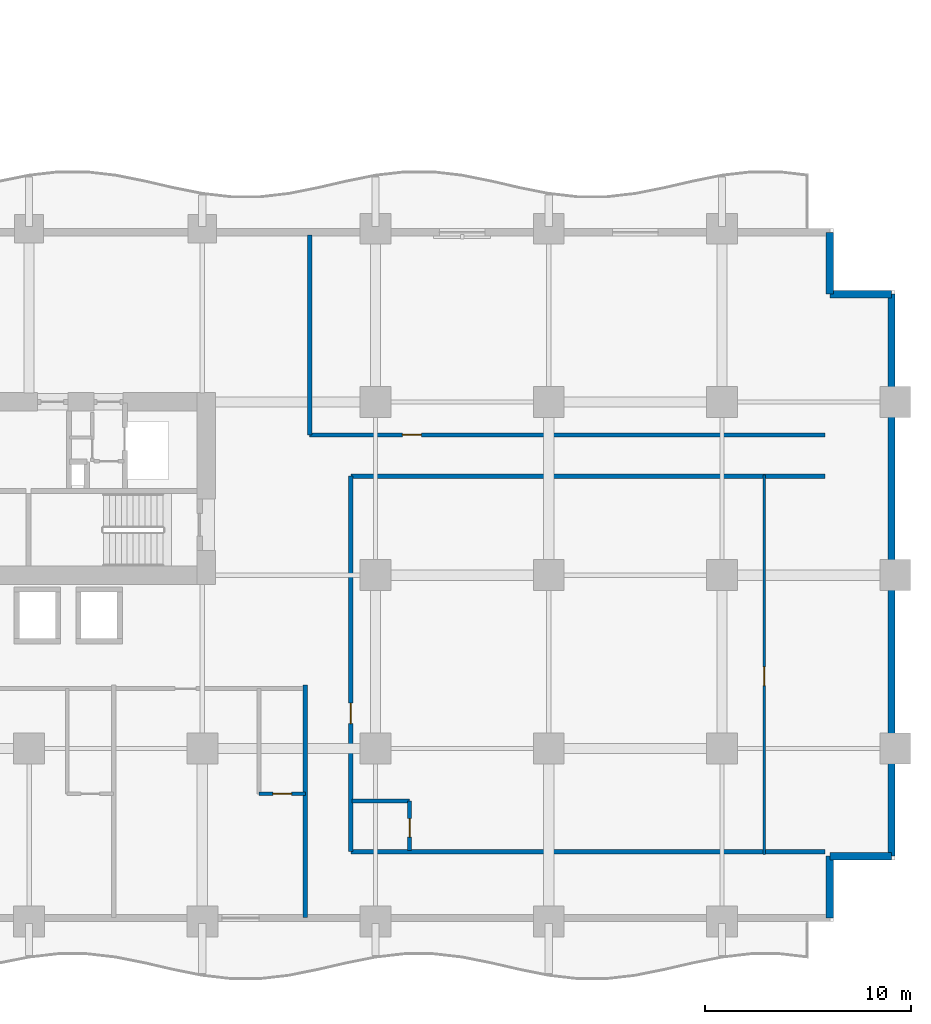
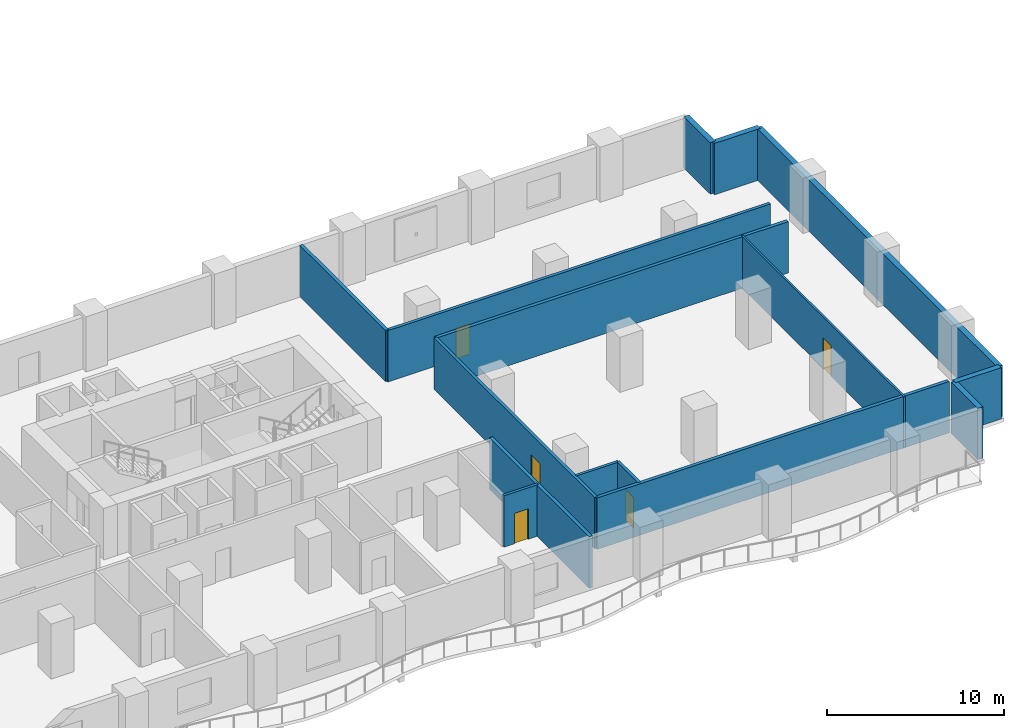
# One storey, part 12 of 20: 15 walls, 5 doors, 5 openings.
"""IFC4 building model written with IfcOpenShell, lengths in metres."""

from ifc_helpers import new_model, si_unit, direction, frame, frame_2d, origin, place, context, subcontext, project, spatial, rectangle, extrude, material, layer, layer_set, type_object, element, fill, save


model = new_model("IFC4")

# Units and contexts
model_context = context("Model", 3, precision=1e-05, world=origin(), true_north=direction((0.0, 1.0)))
body_context = subcontext(model_context, "Body", "Model", "MODEL_VIEW")
ifc_project = project(units=[si_unit("LENGTHUNIT", "METRE"), si_unit("AREAUNIT", "SQUARE_METRE"), si_unit("VOLUMEUNIT", "CUBIC_METRE"), si_unit("PLANEANGLEUNIT", "RADIAN"), si_unit("MASSUNIT", "GRAM", prefix="KILO")], contexts=[model_context])

# Site, building, storey
site_placement = place(None, origin())
site = spatial("IfcSite", under=ifc_project, at=site_placement, CompositionType="ELEMENT")
building_placement = place(site_placement, origin())
building = spatial("IfcBuilding", under=site, at=building_placement, Name="Koriwani Terraces Tower", CompositionType="ELEMENT")
storey_placement = place(building_placement, frame((0.0, 0.0, 73.800048828125)))
storey = spatial("IfcBuildingStorey", under=building, at=storey_placement, Name="L17", CompositionType="ELEMENT", Elevation=73.800048828125)

# Wall, opening, door
ifc_material_1 = material(Name="Autoclaved Cellular Concrete Blockwork", Category="masonry")
ifc_layer_1 = layer(ifc_material_1, 0.199951171875, Name="Autoclaved Cellular Concrete Blockwork")
ifc_layer_set_1 = layer_set([ifc_layer_1], Name="Autoclaved Cellular Concrete Blockwork")
wall_type_1 = type_object("IfcWallType", Name="WALL_CORRIDOR_200", PredefinedType="PARTITIONING", material=ifc_layer_set_1)
wall_1_placement = place(storey_placement, frame((66.0, 3.39990234375, 0.0), z_axis=(0.0, 0.0, 1.0), x_axis=(0.0, 1.0, 0.0)))
wall_1 = element("IfcWall", 1, at=wall_1_placement, inside=storey, type_object=wall_type_1, Name="L17 Interior Wall WGB-L17-ETIP-W", PredefinedType="PARTITIONING", context=body_context, shape_type="SweptSolid", body=[
    extrude(rectangle(XDim=18.2001953125, YDim=0.199951171875, at=frame_2d((9.10009765625, 0.0))), origin(), (0.0, 0.0, 1.0), 3.550048828125),
])
opening_1_placement = place(wall_1_placement, frame((6.199951171875, 0.0, 0.0)))
opening_1 = element("IfcOpeningElement", 2, at=opening_1_placement, cuts=wall_1, Name="Opening D-05", PredefinedType="OPENING", context=body_context, shape_type="SweptSolid", body=[
    extrude(rectangle(XDim=1.0, YDim=2.14990234375, at=frame_2d((0.5, 1.074951171875))), frame((0.0, 0.10986328125, 0.0), z_axis=(0.0, -1.0, 0.0), x_axis=(1.0, 0.0, 0.0)), (0.0, 0.0, 1.0), 0.219970703125),
])
ifc_material_2 = material(Name="Architectural Oak Fire Door", Category="wood")
door_type_1 = type_object("IfcDoorType", Name="DOOR_SUITE_ENTRY_1000X2150", OperationType="NOTDEFINED", PredefinedType="DOOR", material=ifc_material_2)
door_1_placement = place(opening_1_placement, origin())
door_1 = element("IfcDoor", 3, at=door_1_placement, inside=storey, type_object=door_type_1, Name="Ambassador Wing Suite 17E Entrance Door", OperationType="SINGLE_SWING_LEFT", OverallHeight=2.14990234375, OverallWidth=1.0, PredefinedType="DOOR", context=body_context, shape_type="SweptSolid", body=[
    extrude(rectangle(XDim=1.0, YDim=2.14990234375, at=frame_2d((0.5, 1.074951171875))), frame((0.0, 0.02490234375, 0.0), z_axis=(0.0, -1.0, 0.0), x_axis=(1.0, 0.0, 0.0)), (0.0, 0.0, 1.0), 0.050048828125),
])
fill(opening_1, door_1)

wall_2_placement = place(storey_placement, frame((64.0, 23.60009765625, 0.0), z_axis=(0.0, 0.0, 1.0), x_axis=(1.0, 0.0, 0.0)))
wall_2 = element("IfcWall", 4, at=wall_2_placement, inside=storey, type_object=wall_type_1, Name="L17 Interior Wall WETIP2-S-L17", PredefinedType="PARTITIONING", context=body_context, shape_type="SweptSolid", body=[
    extrude(rectangle(XDim=25.0, YDim=0.199951171875, at=frame_2d((12.5, 0.0))), origin(), (0.0, 0.0, 1.0), 3.550048828125),
])
opening_2_placement = place(wall_2_placement, frame((4.5, 0.0, 0.0)))
opening_2 = element("IfcOpeningElement", 5, at=opening_2_placement, cuts=wall_2, Name="Opening D-06", PredefinedType="OPENING", context=body_context, shape_type="SweptSolid", body=[
    extrude(rectangle(XDim=0.919921875, YDim=2.10009765625, at=frame_2d((0.4599609375, 1.050048828125))), frame((0.0, 0.10986328125, 0.0), z_axis=(0.0, -1.0, 0.0), x_axis=(1.0, 0.0, 0.0)), (0.0, 0.0, 1.0), 0.219970703125),
])
door_type_2 = type_object("IfcDoorType", Name="DOOR_ROOM_INT_920X2100", OperationType="NOTDEFINED", PredefinedType="DOOR", material=ifc_material_2)
door_2_placement = place(opening_2_placement, origin())
door_2 = element("IfcDoor", 6, at=door_2_placement, inside=storey, type_object=door_type_2, Name="L17 East Panorama Salon Door", OperationType="SINGLE_SWING_RIGHT", OverallHeight=2.10009765625, OverallWidth=0.919921875, PredefinedType="DOOR", context=body_context, shape_type="SweptSolid", body=[
    extrude(rectangle(XDim=0.919921875, YDim=2.10009765625, at=frame_2d((0.4599609375, 1.050048828125))), frame((0.0, 0.02490234375, 0.0), z_axis=(0.0, -1.0, 0.0), x_axis=(1.0, 0.0, 0.0)), (0.0, 0.0, 1.0), 0.050048828125),
])
fill(opening_2, door_2)

# Walls
ifc_layer_2 = layer(ifc_material_1, 0.219970703125, Name="Autoclaved Cellular Concrete Blockwork")
ifc_layer_set_2 = layer_set([ifc_layer_2], Name="Autoclaved Cellular Concrete Blockwork")
wall_type_2 = type_object("IfcWallType", Name="WALL_DEMISING_220", PredefinedType="PARTITIONING", material=ifc_layer_set_2)
wall_3_placement = place(storey_placement, frame((63.800048828125, 0.199951171875, 0.0), z_axis=(0.0, 0.0, 1.0), x_axis=(0.0, 1.0, 0.0)))
element("IfcWall", 7, at=wall_3_placement, inside=storey, type_object=wall_type_2, Name="L17 Interior Wall WDEME-L17-SW", PredefinedType="PARTITIONING", context=body_context, shape_type="SweptSolid", body=[
    extrude(rectangle(XDim=11.280029296875, YDim=0.219970703125, at=frame_2d((5.64013671875, 0.0))), origin(), (0.0, 0.0, 1.0), 3.550048828125),
])
for number, where, z_axis, x_axis, name in (
    (8, (66.0, 3.39990234375, 0.0), (0.0, 0.0, 1.0), (1.0, 0.0, 0.0), "L17 Interior Wall WGB-L17-ETIP-S"),
    (9, (66.0, 21.60009765625, 0.0), (0.0, 0.0, 1.0), (1.0, 0.0, 0.0), "L17 Interior Wall WGB-L17-ETIP-N"),
):
    element("IfcWall", number, at=place(storey_placement, frame(where, z_axis=z_axis, x_axis=x_axis)), inside=storey, type_object=wall_type_2, Name=name, PredefinedType="PARTITIONING", context=body_context, shape_type="SweptSolid", body=[
        extrude(rectangle(XDim=23.0, YDim=0.219970703125, at=frame_2d((11.5, 0.0))), origin(), (0.0, 0.0, 1.0), 3.550048828125),
    ])
wall_4_placement = place(storey_placement, frame((64.0, 23.60009765625, 0.0), z_axis=(0.0, 0.0, 1.0), x_axis=(0.0, 1.0, 0.0)))
element("IfcWall", 10, at=wall_4_placement, inside=storey, type_object=wall_type_2, Name="L17 Interior Wall WETIP2-W-L17", PredefinedType="PARTITIONING", context=body_context, shape_type="SweptSolid", body=[
    extrude(rectangle(XDim=9.699951171875, YDim=0.219970703125, at=frame_2d((4.85009765625, 0.0))), origin(), (0.0, 0.0, 1.0), 3.550048828125),
])
ifc_material_3 = material(Name="Concrete C50/60", Category="concrete")
ifc_layer_3 = layer(ifc_material_3, 0.35009765625, Name="Concrete C50/60")
ifc_layer_set_3 = layer_set([ifc_layer_3], Name="Concrete C50/60")
wall_type_3 = type_object("IfcWallType", Name="WALL_EXT_BRUTALIST_350", PredefinedType="STANDARD", material=ifc_layer_set_3)
for number, where, z_axis, x_axis, name in (
    (11, (89.22509765625, 33.425048828125, 0.0), (0.0, 0.0, 1.0), (0.0, -1.0, 0.0), "L17 Fair-Faced Brutalist Exterior Wall (N10)"),
    (12, (89.22509765625, 30.425048828125, 0.0), (0.0, 0.0, 1.0), (1.0, 0.0, 0.0), "L17 Fair-Faced Brutalist Exterior Wall (N11)"),
):
    element("IfcWall", number, at=place(storey_placement, frame(where, z_axis=z_axis, x_axis=x_axis)), inside=storey, type_object=wall_type_3, Name=name, PredefinedType="STANDARD", context=body_context, shape_type="SweptSolid", body=[
        extrude(rectangle(XDim=3.0, YDim=0.35009765625, at=frame_2d((1.5, 0.0))), origin(), (0.0, 0.0, 1.0), 3.550048828125),
    ])
wall_5_placement = place(storey_placement, frame((92.22509765625, 30.425048828125, 0.0), z_axis=(0.0, 0.0, 1.0), x_axis=(0.0, -1.0, 0.0)))
element("IfcWall", 13, at=wall_5_placement, inside=storey, type_object=wall_type_3, Name="L17 Fair-Faced Brutalist Exterior Wall (E_TIP)", PredefinedType="STANDARD", context=body_context, shape_type="SweptSolid", body=[
    extrude(rectangle(XDim=27.25, YDim=0.35009765625, at=frame_2d((13.625, 0.0))), origin(), (0.0, 0.0, 1.0), 3.550048828125),
])
for number, where, z_axis, x_axis, name in (
    (14, (92.22509765625, 3.175048828125, 0.0), (0.0, 0.0, 1.0), (-1.0, 0.0, 0.0), "L17 Fair-Faced Brutalist Exterior Wall (N13)"),
    (15, (89.22509765625, 3.175048828125, 0.0), (0.0, 0.0, 1.0), (0.0, -1.0, 0.0), "L17 Fair-Faced Brutalist Exterior Wall (N14)"),
):
    element("IfcWall", number, at=place(storey_placement, frame(where, z_axis=z_axis, x_axis=x_axis)), inside=storey, type_object=wall_type_3, Name=name, PredefinedType="STANDARD", context=body_context, shape_type="SweptSolid", body=[
        extrude(rectangle(XDim=3.0, YDim=0.35009765625, at=frame_2d((1.5, 0.0))), origin(), (0.0, 0.0, 1.0), 3.550048828125),
    ])

# Wall, opening, door
ifc_material_4 = material(Name="Fire-Rated Acoustic Gypsum Partition", Category="masonry")
ifc_layer_4 = layer(ifc_material_4, 0.125, Name="Fire-Rated Acoustic Gypsum Partition")
ifc_layer_set_4 = layer_set([ifc_layer_4], Name="Fire-Rated Acoustic Gypsum Partition")
wall_type_4 = type_object("IfcWallType", Name="WALL_INT_125", PredefinedType="PARTITIONING", material=ifc_layer_set_4)
wall_6_placement = place(storey_placement, frame((86.050048828125, 3.25, 0.0), z_axis=(0.0, 0.0, 1.0), x_axis=(0.0, 1.0, 0.0)))
wall_6 = element("IfcWall", 16, at=wall_6_placement, inside=storey, type_object=wall_type_4, Name="L17 Interior Wall WGB-L17-ETIP-BD", PredefinedType="PARTITIONING", context=body_context, shape_type="SweptSolid", body=[
    extrude(rectangle(XDim=18.39990234375, YDim=0.125, at=frame_2d((9.199951171875, 0.0))), origin(), (0.0, 0.0, 1.0), 3.550048828125),
])
opening_3_placement = place(wall_6_placement, frame((8.18994140625, 0.0, 0.0)))
opening_3 = element("IfcOpeningElement", 17, at=opening_3_placement, cuts=wall_6, Name="Opening D-06", PredefinedType="OPENING", context=body_context, shape_type="SweptSolid", body=[
    extrude(rectangle(XDim=0.919921875, YDim=2.10009765625, at=frame_2d((0.4599609375, 1.050048828125))), frame((0.0, 0.072509765625, 0.0), z_axis=(0.0, -1.0, 0.0), x_axis=(1.0, 0.0, 0.0)), (0.0, 0.0, 1.0), 0.14501953125),
])
door_3_placement = place(opening_3_placement, origin())
door_3 = element("IfcDoor", 18, at=door_3_placement, inside=storey, type_object=door_type_2, Name="Ambassador Wing Suite 17E Master Suite Door", OperationType="SINGLE_SWING_LEFT", OverallHeight=2.10009765625, OverallWidth=0.919921875, PredefinedType="DOOR", context=body_context, shape_type="SweptSolid", body=[
    extrude(rectangle(XDim=0.919921875, YDim=2.10009765625, at=frame_2d((0.4599609375, 1.050048828125))), frame((0.0, 0.02490234375, 0.0), z_axis=(0.0, -1.0, 0.0), x_axis=(1.0, 0.0, 0.0)), (0.0, 0.0, 1.0), 0.050048828125),
])
fill(opening_3, door_3)

ifc_layer_5 = layer(ifc_material_4, 0.179931640625, Name="Fire-Rated Acoustic Gypsum Partition")
ifc_layer_set_5 = layer_set([ifc_layer_5], Name="Fire-Rated Acoustic Gypsum Partition")
wall_type_5 = type_object("IfcWallType", Name="WALL_PLUMBING_180", PredefinedType="PLUMBINGWALL", material=ifc_layer_set_5)
wall_7_placement = place(storey_placement, frame((61.550048828125, 6.199951171875, 0.0), z_axis=(0.0, 0.0, 1.0), x_axis=(1.0, 0.0, 0.0)))
wall_7 = element("IfcWall", 19, at=wall_7_placement, inside=storey, type_object=wall_type_5, Name="L17 Interior Wall WBTH1-L17-SW-3", PredefinedType="PLUMBINGWALL", context=body_context, shape_type="SweptSolid", body=[
    extrude(rectangle(XDim=2.25, YDim=0.179931640625, at=frame_2d((1.125, 0.0))), origin(), (0.0, 0.0, 1.0), 3.550048828125),
])
opening_4_placement = place(wall_7_placement, frame((0.675048828125, 0.0, 0.0)))
opening_4 = element("IfcOpeningElement", 20, at=opening_4_placement, cuts=wall_7, Name="Opening D-07", PredefinedType="OPENING", context=body_context, shape_type="SweptSolid", body=[
    extrude(rectangle(XDim=0.89990234375, YDim=2.10009765625, at=frame_2d((0.449951171875, 1.050048828125))), frame((0.0, 0.10009765625, 0.0), z_axis=(0.0, -1.0, 0.0), x_axis=(1.0, 0.0, 0.0)), (0.0, 0.0, 1.0), 0.199951171875),
])
door_type_3 = type_object("IfcDoorType", Name="DOOR_BATH_INT_900X2100", OperationType="NOTDEFINED", PredefinedType="DOOR", material=ifc_material_2)
door_4_placement = place(opening_4_placement, origin())
door_4 = element("IfcDoor", 21, at=door_4_placement, inside=storey, type_object=door_type_3, Name="En-Suite Bathroom 17SW4 Door", OperationType="SINGLE_SWING_RIGHT", OverallHeight=2.10009765625, OverallWidth=0.89990234375, PredefinedType="DOOR", context=body_context, shape_type="SweptSolid", body=[
    extrude(rectangle(XDim=0.89990234375, YDim=2.10009765625, at=frame_2d((0.449951171875, 1.050048828125))), frame((0.0, 0.02490234375, 0.0), z_axis=(0.0, -1.0, 0.0), x_axis=(1.0, 0.0, 0.0)), (0.0, 0.0, 1.0), 0.050048828125),
])
fill(opening_4, door_4)

wall_8_placement = place(storey_placement, frame((68.85009765625, 3.449951171875, 0.0), z_axis=(0.0, 0.0, 1.0), x_axis=(0.0, 1.0, 0.0)))
wall_8 = element("IfcWall", 22, at=wall_8_placement, inside=storey, type_object=wall_type_5, Name="L17 Interior Wall WGB-L17-ETIP-SVB", PredefinedType="PLUMBINGWALL", context=body_context, shape_type="SweptSolid", body=[
    extrude(rectangle(XDim=2.400146484375, YDim=0.179931640625, at=frame_2d((1.2001953125, 0.0))), origin(), (0.0, 0.0, 1.0), 3.550048828125),
])
opening_5_placement = place(wall_8_placement, frame((0.64990234375, 0.0, 0.0)))
opening_5 = element("IfcOpeningElement", 23, at=opening_5_placement, cuts=wall_8, Name="Opening D-07", PredefinedType="OPENING", context=body_context, shape_type="SweptSolid", body=[
    extrude(rectangle(XDim=0.89990234375, YDim=2.10009765625, at=frame_2d((0.449951171875, 1.050048828125))), frame((0.0, 0.10009765625, 0.0), z_axis=(0.0, -1.0, 0.0), x_axis=(1.0, 0.0, 0.0)), (0.0, 0.0, 1.0), 0.199951171875),
])
door_5_placement = place(opening_5_placement, origin())
door_5 = element("IfcDoor", 24, at=door_5_placement, inside=storey, type_object=door_type_3, Name="Ambassador Wing Suite 17E Bathroom Door", OperationType="SINGLE_SWING_RIGHT", OverallHeight=2.10009765625, OverallWidth=0.89990234375, PredefinedType="DOOR", context=body_context, shape_type="SweptSolid", body=[
    extrude(rectangle(XDim=0.89990234375, YDim=2.10009765625, at=frame_2d((0.449951171875, 1.050048828125))), frame((0.0, 0.02490234375, 0.0), z_axis=(0.0, -1.0, 0.0), x_axis=(1.0, 0.0, 0.0)), (0.0, 0.0, 1.0), 0.050048828125),
])
fill(opening_5, door_5)

# Wall
wall_9_placement = place(storey_placement, frame((66.050048828125, 5.85009765625, 0.0), z_axis=(0.0, 0.0, 1.0), x_axis=(1.0, 0.0, 0.0)))
element("IfcWall", 25, at=wall_9_placement, inside=storey, type_object=wall_type_5, Name="L17 Interior Wall WGB-L17-ETIP-SV2", PredefinedType="PLUMBINGWALL", context=body_context, shape_type="SweptSolid", body=[
    extrude(rectangle(XDim=2.800048828125, YDim=0.179931640625, at=frame_2d((1.39990234375, 0.0))), origin(), (0.0, 0.0, 1.0), 3.550048828125),
])

save(model, "model.ifc")
